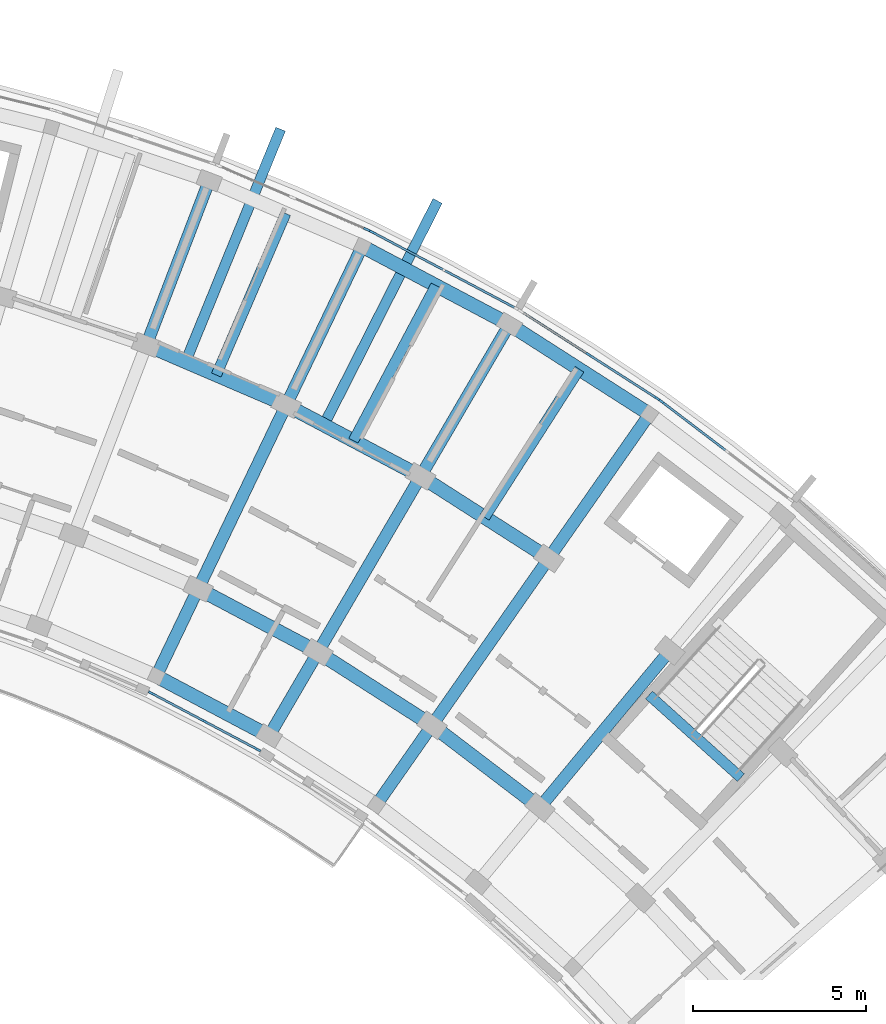
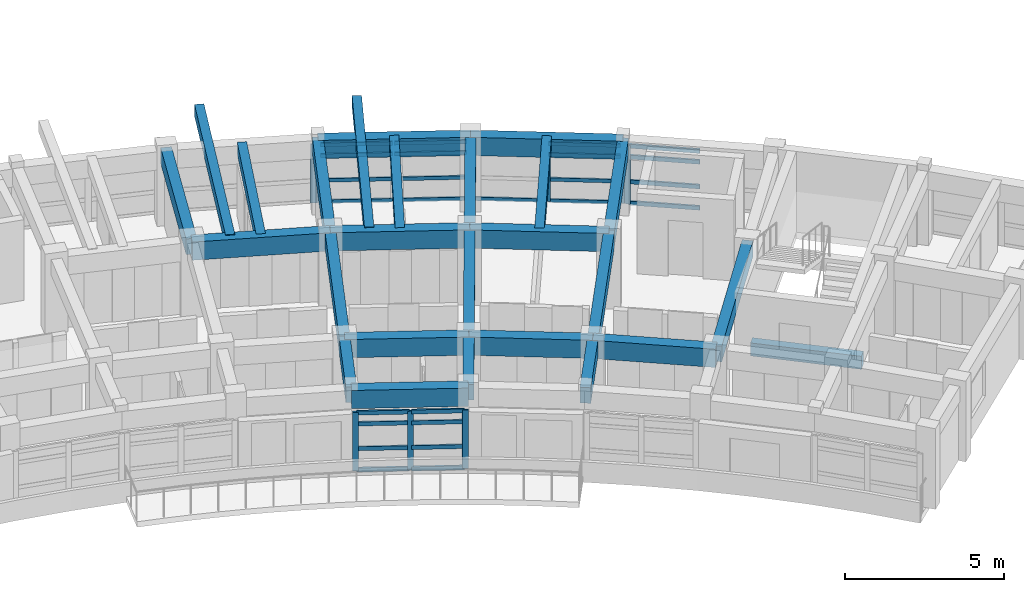
# One storey, part 14 of 54: 33 members, 26 beams, 5 elements without a shape of their own.
"""IFC4 building model written with IfcOpenShell, lengths in metres."""

import ifcopenshell
import ifcopenshell.guid

model = None  # the IFC model being written
_history = None  # IfcOwnerHistory: only IFC2X3 demands one
_inside = {}  # id of a spatial element -> (the spatial element, [elements in it])
_under = {}  # id of a project, library or spatial element -> (it, [spatial elements below it])
_declared = {}  # id of a project -> (the project, [libraries it declares])
_typed = {}  # id of a type object -> (the type object, [elements of that type])
_made_of = {}  # id of a material, layer set ... -> (it, [elements and type objects made of it])


def new_model(schema):
    """Start an empty IFC model of exactly this schema.

    Asked for "IFC4X3", IfcOpenShell would pick the latest addendum, in which some entities
    have other attributes; the version numbers below select the first issue.
    IFC2X3 requires an IfcOwnerHistory on every rooted entity: one is made here for all.
    """
    global model, _history
    if schema == "IFC4X3":
        model = ifcopenshell.file(schema_version=(4, 3, 0, 0))
    else:
        model = ifcopenshell.file(schema=schema)
    _inside.clear()
    _under.clear()
    _declared.clear()
    _typed.clear()
    _made_of.clear()
    _history = None
    if model.schema == "IFC2X3":
        org = make("IfcOrganization", Name="unknown")
        user = make(
            "IfcPersonAndOrganization",
            ThePerson=make("IfcPerson", FamilyName="unknown"),
            TheOrganization=org,
        )
        app = make(
            "IfcApplication",
            ApplicationDeveloper=org,
            Version="unknown",
            ApplicationFullName="unknown",
            ApplicationIdentifier="unknown",
        )
        _history = make(
            "IfcOwnerHistory",
            OwningUser=user,
            OwningApplication=app,
            ChangeAction="ADDED",
            CreationDate=0,
        )
    return model


def make(cls, **values):
    """One entity of the class cls with the attributes given. An attribute that is None is left unset."""
    return model.create_entity(
        cls, **{name: value for name, value in values.items() if value is not None}
    )


def rooted(cls, **values):
    """An entity with a GlobalId (a new one), such as an element, a storey or a relation."""
    return make(cls, GlobalId=ifcopenshell.guid.new(), OwnerHistory=_history, **values)


def si_unit(unit_type, name, prefix=None):
    """IfcSIUnit, for example si_unit("LENGTHUNIT", "METRE", prefix="MILLI")."""
    return make("IfcSIUnit", UnitType=unit_type, Prefix=prefix, Name=name)


def assignment(units):
    """IfcUnitAssignment: the units of a project."""
    return None if units is None else make("IfcUnitAssignment", Units=units)


def point(xyz):
    """IfcCartesianPoint."""
    return None if xyz is None else make("IfcCartesianPoint", Coordinates=xyz)


def direction(xyz):
    """IfcDirection."""
    return None if xyz is None else make("IfcDirection", DirectionRatios=xyz)


def frame(location, z_axis=None, x_axis=None):
    """IfcAxis2Placement3D, a coordinate frame: its origin and axes. An axis left out is left unset."""
    return make(
        "IfcAxis2Placement3D",
        Location=point(location),
        Axis=direction(z_axis),
        RefDirection=direction(x_axis),
    )


def frame_2d(location, x_axis=None):
    """IfcAxis2Placement2D, a coordinate frame in the plane: its origin and x axis."""
    return make(
        "IfcAxis2Placement2D", Location=point(location), RefDirection=direction(x_axis)
    )


def origin():
    """The frame at (0, 0, 0) with its axes left unset."""
    return frame((0.0, 0.0, 0.0))


def origin_2d():
    """The frame at (0, 0) in the plane with its x axis left unset."""
    return frame_2d((0.0, 0.0))


def place(relative_to, where):
    """IfcLocalPlacement: puts the frame where relative to a parent placement (None: the world)."""
    return make(
        "IfcLocalPlacement", PlacementRelTo=relative_to, RelativePlacement=where
    )


def context(
    kind, dimensions, precision=None, world=None, true_north=None, identifier=None
):
    """IfcGeometricRepresentationContext, for example the 3D "Model" context."""
    return make(
        "IfcGeometricRepresentationContext",
        ContextIdentifier=identifier,
        ContextType=kind,
        CoordinateSpaceDimension=dimensions,
        Precision=precision,
        WorldCoordinateSystem=world,
        TrueNorth=true_north,
    )


def subcontext(parent, identifier, kind, view, scale=None):
    """IfcGeometricRepresentationSubContext, for example "Body" below "Model"."""
    return make(
        "IfcGeometricRepresentationSubContext",
        ContextIdentifier=identifier,
        ContextType=kind,
        ParentContext=parent,
        TargetScale=scale,
        TargetView=view,
    )


def project(units=None, contexts=None):
    """IfcProject with its units and contexts."""
    return rooted(
        "IfcProject",
        Name="project",
        RepresentationContexts=contexts,
        UnitsInContext=assignment(units),
    )


def spatial(cls, under=None, at=None, **own):
    """A site, building, storey or space (cls), placed at a placement, below another one or the project."""
    s = rooted(cls, ObjectPlacement=at, **own)
    if under is not None:
        _under.setdefault(under.id(), (under, []))[1].append(s)
    return s


def profile(cls, at=None, kind="AREA", **sizes):
    """A parametric profile (cls). Its sizes go by their IFC names, for example OverallWidth=200.0."""
    return make(cls, ProfileType=kind, Position=at, **sizes)


def rectangle(**sizes):
    """IfcRectangleProfileDef."""
    return profile("IfcRectangleProfileDef", **sizes)


def extrude(swept, where, along, depth):
    """IfcExtrudedAreaSolid: the profile swept, set in the frame where, extruded along a direction by depth."""
    return make(
        "IfcExtrudedAreaSolid",
        SweptArea=swept,
        Position=where,
        ExtrudedDirection=direction(along),
        Depth=depth,
    )


def shape(context_of_items, identifier, shape_type, items):
    """IfcShapeRepresentation: the items that make up one representation, for example the "Body"."""
    return make(
        "IfcShapeRepresentation",
        ContextOfItems=context_of_items,
        RepresentationIdentifier=identifier,
        RepresentationType=shape_type,
        Items=items,
    )


def material(Name=None, Category=None):
    """IfcMaterial."""
    return make("IfcMaterial", Name=Name, Category=Category)


def material_profile(
    of_material, cross_section, Name=None, Category=None, Priority=None
):
    """IfcMaterialProfile: a cross section and its material."""
    return make(
        "IfcMaterialProfile",
        Name=Name,
        Material=of_material,
        Profile=cross_section,
        Priority=Priority,
        Category=Category,
    )


def profile_set(profiles, Name=None, composite=None):
    """IfcMaterialProfileSet."""
    return make(
        "IfcMaterialProfileSet",
        Name=Name,
        MaterialProfiles=profiles,
        CompositeProfile=composite,
    )


def made_of(thing, what):
    """Note that an element or type object is made of a material, layer set ...; save() writes the relation."""
    if what is not None:
        _made_of.setdefault(what.id(), (what, []))[1].append(thing)
    return thing


def type_object(cls, material=None, **own):
    """A type object (cls), such as IfcWallType, which elements share."""
    return made_of(rooted(cls, **own), material)


def element(
    cls,
    number,
    at=None,
    inside=None,
    cuts=None,
    type_object=None,
    material=None,
    context=None,
    identifier="Body",
    shape_type=None,
    held_by="IfcProductDefinitionShape",
    body=None,
    shapes=None,
    **own,
):
    """One element of the class cls, such as IfcWall. Its Tag is "e" and its number.

    at: its placement. inside: the storey or other place that contains it. cuts: it is an
    opening in that element (IfcRelVoidsElement). A single representation is given by context,
    identifier, shape_type and body (its items); several are given by shapes. held_by: the class
    of the entity that holds the representations. save() writes the other relations.
    """
    e = rooted(cls, Tag="e%d" % number, ObjectPlacement=at, **own)
    if body is not None:
        shapes = [shape(context, identifier, shape_type, body)]
    if shapes is not None:
        e.Representation = make(held_by, Representations=shapes)
    if inside is not None:
        _inside.setdefault(inside.id(), (inside, []))[1].append(e)
    if cuts is not None:
        rooted(
            "IfcRelVoidsElement", RelatingBuildingElement=cuts, RelatedOpeningElement=e
        )
    if type_object is not None:
        _typed.setdefault(type_object.id(), (type_object, []))[1].append(e)
    return made_of(e, material)


def aggregate(whole, parts):
    """IfcRelAggregates: a whole, such as a stair, and the parts it consists of."""
    return rooted("IfcRelAggregates", RelatingObject=whole, RelatedObjects=parts)


def save(model, path):
    """Write the relations noted so far, then the file.

    IfcRelAggregates (storeys below a building ...), IfcRelContainedInSpatialStructure (elements
    in a storey), IfcRelDefinesByType, IfcRelAssociatesMaterial and IfcRelDeclares: one each for
    every whole, place, type object, material and project.
    """
    for whole, parts in _under.values():
        aggregate(whole, parts)
    for where, things in _inside.values():
        rooted(
            "IfcRelContainedInSpatialStructure",
            RelatedElements=things,
            RelatingStructure=where,
        )
    for kind, things in _typed.values():
        rooted("IfcRelDefinesByType", RelatedObjects=things, RelatingType=kind)
    for what, things in _made_of.values():
        rooted("IfcRelAssociatesMaterial", RelatedObjects=things, RelatingMaterial=what)
    for by, libraries in _declared.values():
        rooted("IfcRelDeclares", RelatingContext=by, RelatedDefinitions=libraries)
    model.write(path)


model = new_model("IFC4")

# Units and contexts
model_context = context("Model", 3, precision=1e-05, world=origin(), true_north=direction((0.0, 1.0)))
body_context = subcontext(model_context, "Body", "Model", "MODEL_VIEW")
ifc_project = project(units=[si_unit("LENGTHUNIT", "METRE"), si_unit("AREAUNIT", "SQUARE_METRE"), si_unit("VOLUMEUNIT", "CUBIC_METRE"), si_unit("PLANEANGLEUNIT", "RADIAN"), si_unit("MASSUNIT", "GRAM", prefix="KILO")], contexts=[model_context])

# Site, building, storey
site_placement = place(None, origin())
site = spatial("IfcSite", under=ifc_project, at=site_placement, CompositionType="ELEMENT")
building_placement = place(site_placement, origin())
building = spatial("IfcBuilding", under=site, at=building_placement, Name="Zimvara Arc Housing Community", CompositionType="ELEMENT")
storey_placement = place(building_placement, frame((0.0, 0.0, 23.60009765625)))
storey = spatial("IfcBuildingStorey", under=building, at=storey_placement, Name="L07", CompositionType="ELEMENT", Elevation=23.60009765625)

# Beams
ifc_material_1 = material(Name="Concrete C40/50", Category="concrete")
ifc_material_profile_1 = material_profile(ifc_material_1, rectangle(XDim=0.300048828125, YDim=0.449951171875, at=origin_2d()), Name="RC 300x450")
ifc_profile_set_1 = profile_set([ifc_material_profile_1], Name="Concrete C40/50")
beam_type_1 = type_object("IfcBeamType", Name="BM-RC-300x450", PredefinedType="JOIST", material=ifc_profile_set_1)
beam_1_placement = place(storey_placement, frame((66.22802734375, 93.885986328125, 2.635009765625), z_axis=(0.394929109608, 0.918711596958, 0.0), x_axis=(-0.918711596958, 0.394929109608, 0.0)))
element("IfcBeam", 1, at=beam_1_placement, inside=storey, type_object=beam_type_1, Name="bm:blkB:L07:joist:b4", PredefinedType="JOIST", context=body_context, shape_type="SweptSolid", body=[
    extrude(rectangle(XDim=0.300048828125, YDim=0.449951171875, at=origin_2d()), origin(), (0.0, 0.0, 1.0), 5.075927734375),
])
for number, where, z_axis, x_axis, name in (
    (2, (70.186767578125, 91.9892578125, 2.635009765625), (0.46853732736, 0.883443701019, 0.0), (-0.883443701019, 0.46853732736, 0.0), "bm:blkB:L07:joist:b5"),
    (3, (73.9775390625, 89.776123046875, 2.635009765625), (0.539052331508, 0.842272274206, 0.0), (-0.842272274206, 0.539052331508, 0.0), "bm:blkB:L07:joist:b6"),
):
    element("IfcBeam", number, at=place(storey_placement, frame(where, z_axis=z_axis, x_axis=x_axis)), inside=storey, type_object=beam_type_1, Name=name, PredefinedType="JOIST", context=body_context, shape_type="SweptSolid", body=[
        extrude(rectangle(XDim=0.300048828125, YDim=0.449951171875, at=origin_2d()), origin(), (0.0, 0.0, 1.0), 5.07568359375),
    ])
for number, where, z_axis, x_axis, name in (
    (4, (65.354248046875, 94.301025390625, 2.664794921875), (0.37834711263, 0.925663795535, 0.0), (-0.925663795535, 0.37834711263, 0.0), "bm:blkB:L07:cant_out:b4"),
    (5, (69.349609375, 92.474365234375, 2.664794921875), (0.45261583812, 0.891705614585, 0.0), (-0.891705614585, 0.45261583812, 0.0), "bm:blkB:L07:cant_out:b5"),
):
    element("IfcBeam", number, at=place(storey_placement, frame(where, z_axis=z_axis, x_axis=x_axis)), inside=storey, type_object=beam_type_1, Name=name, PredefinedType="JOIST", context=body_context, shape_type="SweptSolid", body=[
        extrude(rectangle(XDim=0.300048828125, YDim=0.449951171875, at=origin_2d()), origin(), (0.0, 0.0, 1.0), 7.219970703125),
    ])
ifc_material_2 = material(Name="Concrete C40/50", Category="concrete")
ifc_material_profile_2 = material_profile(ifc_material_2, rectangle(XDim=0.300048828125, YDim=0.5, at=origin_2d()), Name="RC 300x500")
ifc_profile_set_2 = profile_set([ifc_material_profile_2], Name="Concrete C40/50")
beam_type_2 = type_object("IfcBeamType", Name="BM-RC-300x500", PredefinedType="BEAM", material=ifc_profile_set_2)
beam_2_placement = place(storey_placement, frame((81.375732421875, 82.259033203125, -0.25), z_axis=(-0.743362151162, 0.668889162881, 0.0), x_axis=(-0.668889162881, -0.743362151162, 0.0)))
element("IfcBeam", 6, at=beam_2_placement, inside=storey, type_object=beam_type_2, Name="bm:stair_trim:ST-B2:L07:near", PredefinedType="BEAM", context=body_context, shape_type="SweptSolid", body=[
    extrude(rectangle(XDim=0.300048828125, YDim=0.5, at=origin_2d()), origin(), (0.0, 0.0, 1.0), 3.570068359375),
])
ifc_material_3 = material(Name="Concrete C40/50", Category="concrete")
ifc_material_profile_3 = material_profile(ifc_material_3, rectangle(XDim=0.35009765625, YDim=0.60009765625, at=origin_2d()), Name="RC 350x600")
ifc_profile_set_3 = profile_set([ifc_material_profile_3], Name="Concrete C40/50")
beam_type_3 = type_object("IfcBeamType", Name="BM-RC-350x600", PredefinedType="BEAM", material=ifc_profile_set_3)
beam_3_placement = place(storey_placement, frame((64.2099609375, 94.75341796875, 2.559814453125), z_axis=(0.357078271386, 0.934074466038, 0.0), x_axis=(-0.934074466038, 0.357078271386, 0.0)))
element("IfcBeam", 7, at=beam_3_placement, inside=storey, type_object=beam_type_3, Name="bm:blkB:L07:rad:b4:r23", PredefinedType="BEAM", context=body_context, shape_type="SweptSolid", body=[
    extrude(rectangle(XDim=0.35009765625, YDim=0.60009765625, at=origin_2d()), origin(), (0.0, 0.0, 1.0), 5.080078125),
])
beam_4_placement = place(storey_placement, frame((64.49560546875, 85.190673828125, 2.559814453125), z_axis=(0.432118703138, 0.901816736593, 0.0), x_axis=(-0.901816736593, 0.432118703138, 0.0)))
element("IfcBeam", 8, at=beam_4_placement, inside=storey, type_object=beam_type_3, Name="bm:blkB:L07:rad:b5:r01", PredefinedType="BEAM", context=body_context, shape_type="SweptSolid", body=[
    extrude(rectangle(XDim=0.35009765625, YDim=0.60009765625, at=origin_2d()), origin(), (0.0, 0.0, 1.0), 2.800048828125),
])
beam_5_placement = place(storey_placement, frame((65.70556640625, 87.7158203125, 2.559814453125), z_axis=(0.432069527705, 0.901840298073, 0.0), x_axis=(-0.901840298073, 0.432069527705, 0.0)))
element("IfcBeam", 9, at=beam_5_placement, inside=storey, type_object=beam_type_3, Name="bm:blkB:L07:rad:b5:r12", PredefinedType="BEAM", context=body_context, shape_type="SweptSolid", body=[
    extrude(rectangle(XDim=0.35009765625, YDim=0.60009765625, at=origin_2d()), origin(), (0.0, 0.0, 1.0), 5.8798828125),
])
beam_6_placement = place(storey_placement, frame((68.24609375, 93.0185546875, 2.559814453125), z_axis=(0.432098194978, 0.901826563091, 0.0), x_axis=(-0.901826563091, 0.432098194978, 0.0)))
element("IfcBeam", 10, at=beam_6_placement, inside=storey, type_object=beam_type_3, Name="bm:blkB:L07:rad:b5:r23", PredefinedType="BEAM", context=body_context, shape_type="SweptSolid", body=[
    extrude(rectangle(XDim=0.35009765625, YDim=0.60009765625, at=origin_2d()), origin(), (0.0, 0.0, 1.0), 5.080078125),
])
beam_7_placement = place(storey_placement, frame((67.750732421875, 83.46435546875, 2.559814453125), z_axis=(0.504239631668, 0.86356377521, 0.0), x_axis=(-0.86356377521, 0.504239631668, 0.0)))
element("IfcBeam", 11, at=beam_7_placement, inside=storey, type_object=beam_type_3, Name="bm:blkB:L07:rad:b6:r01", PredefinedType="BEAM", context=body_context, shape_type="SweptSolid", body=[
    extrude(rectangle(XDim=0.35009765625, YDim=0.60009765625, at=origin_2d()), origin(), (0.0, 0.0, 1.0), 2.800048828125),
])
beam_8_placement = place(storey_placement, frame((69.16259765625, 85.88232421875, 2.559814453125), z_axis=(0.504219494781, 0.863575532934, 0.0), x_axis=(-0.863575532934, 0.504219494781, 0.0)))
element("IfcBeam", 12, at=beam_8_placement, inside=storey, type_object=beam_type_3, Name="bm:blkB:L07:rad:b6:r12", PredefinedType="BEAM", context=body_context, shape_type="SweptSolid", body=[
    extrude(rectangle(XDim=0.35009765625, YDim=0.60009765625, at=origin_2d()), origin(), (0.0, 0.0, 1.0), 5.880126953125),
])
beam_9_placement = place(storey_placement, frame((72.12744140625, 90.960205078125, 2.559814453125), z_axis=(0.504196701544, 0.863588840915, 0.0), x_axis=(-0.863588840915, 0.504196701544, 0.0)))
element("IfcBeam", 13, at=beam_9_placement, inside=storey, type_object=beam_type_3, Name="bm:blkB:L07:rad:b6:r23", PredefinedType="BEAM", context=body_context, shape_type="SweptSolid", body=[
    extrude(rectangle(XDim=0.35009765625, YDim=0.60009765625, at=origin_2d()), origin(), (0.0, 0.0, 1.0), 5.079833984375),
])
beam_10_placement = place(storey_placement, frame((70.85400390625, 81.478271484375, 2.559814453125), z_axis=(0.57297651105, 0.819571789281, 0.0), x_axis=(-0.819571789281, 0.57297651105, 0.0)))
element("IfcBeam", 14, at=beam_10_placement, inside=storey, type_object=beam_type_3, Name="bm:blkB:L07:rad:b7:r01", PredefinedType="BEAM", context=body_context, shape_type="SweptSolid", body=[
    extrude(rectangle(XDim=0.35009765625, YDim=0.60009765625, at=origin_2d()), origin(), (0.0, 0.0, 1.0), 2.7998046875),
])
beam_11_placement = place(storey_placement, frame((72.458251953125, 83.77294921875, 2.559814453125), z_axis=(0.573027549978, 0.819536104736, 0.0), x_axis=(-0.819536104736, 0.573027549978, 0.0)))
element("IfcBeam", 15, at=beam_11_placement, inside=storey, type_object=beam_type_3, Name="bm:blkB:L07:rad:b7:r12", PredefinedType="BEAM", context=body_context, shape_type="SweptSolid", body=[
    extrude(rectangle(XDim=0.35009765625, YDim=0.60009765625, at=origin_2d()), origin(), (0.0, 0.0, 1.0), 5.8798828125),
])
beam_12_placement = place(storey_placement, frame((75.82763671875, 88.591796875, 2.559814453125), z_axis=(0.573007469479, 0.819550144848, 0.0), x_axis=(-0.819550144848, 0.573007469479, 0.0)))
element("IfcBeam", 16, at=beam_12_placement, inside=storey, type_object=beam_type_3, Name="bm:blkB:L07:rad:b7:r23", PredefinedType="BEAM", context=body_context, shape_type="SweptSolid", body=[
    extrude(rectangle(XDim=0.35009765625, YDim=0.60009765625, at=origin_2d()), origin(), (0.0, 0.0, 1.0), 5.080078125),
])
beam_13_placement = place(storey_placement, frame((75.571044921875, 81.401611328125, 2.559814453125), z_axis=(0.637955964415, 0.770072845559, 0.0), x_axis=(-0.770072845559, 0.637955964415, 0.0)))
element("IfcBeam", 17, at=beam_13_placement, inside=storey, type_object=beam_type_3, Name="bm:blkB:L07:rad:b8:r12", PredefinedType="BEAM", context=body_context, shape_type="SweptSolid", body=[
    extrude(rectangle(XDim=0.35009765625, YDim=0.60009765625, at=origin_2d()), origin(), (0.0, 0.0, 1.0), 5.880126953125),
])
ifc_material_4 = material(Name="Concrete C40/50", Category="concrete")
ifc_material_profile_4 = material_profile(ifc_material_4, rectangle(XDim=0.39990234375, YDim=0.699951171875, at=origin_2d()), Name="RC 400x700")
ifc_profile_set_4 = profile_set([ifc_material_profile_4], Name="Concrete C40/50")
beam_type_4 = type_object("IfcBeamType", Name="BM-RC-400x700", PredefinedType="BEAM", material=ifc_profile_set_4)
beam_14_placement = place(storey_placement, frame((64.49560546875, 85.190673828125, 2.510009765625), z_axis=(0.883449220086, -0.468526920815, 0.0), x_axis=(0.468526920815, 0.883449220086, 0.0)))
element("IfcBeam", 18, at=beam_14_placement, inside=storey, type_object=beam_type_4, Name="bm:blkB:L07:chord:r0:b5", PredefinedType="BEAM", context=body_context, shape_type="SweptSolid", body=[
    extrude(rectangle(XDim=0.39990234375, YDim=0.699951171875, at=origin_2d()), origin(), (0.0, 0.0, 1.0), 3.6845703125),
])
beam_15_placement = place(storey_placement, frame((65.70556640625, 87.7158203125, 2.510009765625), z_axis=(0.883438625159, -0.468546897948, 0.0), x_axis=(0.468546897948, 0.883438625159, 0.0)))
element("IfcBeam", 19, at=beam_15_placement, inside=storey, type_object=beam_type_4, Name="bm:blkB:L07:chord:r1:b5", PredefinedType="BEAM", context=body_context, shape_type="SweptSolid", body=[
    extrude(rectangle(XDim=0.39990234375, YDim=0.699951171875, at=origin_2d()), origin(), (0.0, 0.0, 1.0), 3.9130859375),
])
beam_16_placement = place(storey_placement, frame((69.16259765625, 85.88232421875, 2.510009765625), z_axis=(0.842253269878, -0.539082024724, 0.0), x_axis=(0.539082024724, 0.842253269878, 0.0)))
element("IfcBeam", 20, at=beam_16_placement, inside=storey, type_object=beam_type_4, Name="bm:blkB:L07:chord:r1:b6", PredefinedType="BEAM", context=body_context, shape_type="SweptSolid", body=[
    extrude(rectangle(XDim=0.39990234375, YDim=0.699951171875, at=origin_2d()), origin(), (0.0, 0.0, 1.0), 3.912841796875),
])
beam_17_placement = place(storey_placement, frame((72.458251953125, 83.77294921875, 2.510009765625), z_axis=(0.795470387579, -0.605992460749, 0.0), x_axis=(0.605992460749, 0.795470387579, 0.0)))
element("IfcBeam", 21, at=beam_17_placement, inside=storey, type_object=beam_type_4, Name="bm:blkB:L07:chord:r1:b7", PredefinedType="BEAM", context=body_context, shape_type="SweptSolid", body=[
    extrude(rectangle(XDim=0.39990234375, YDim=0.699951171875, at=origin_2d()), origin(), (0.0, 0.0, 1.0), 3.9130859375),
])
for number, where, z_axis, x_axis, name in (
    (22, (64.2099609375, 94.75341796875, 2.510009765625), (0.918724840088, -0.394898301093, 0.0), (0.394898301093, 0.918724840088, 0.0), "bm:blkB:L07:chord:r2:b4"),
    (23, (68.24609375, 93.0185546875, 2.510009765625), (0.883456526058, -0.468513144496, 0.0), (0.468513144496, 0.883456526058, 0.0), "bm:blkB:L07:chord:r2:b5"),
    (24, (72.12744140625, 90.960205078125, 2.510009765625), (0.842242131326, -0.539099427025, 0.0), (0.539099427025, 0.842242131326, 0.0), "bm:blkB:L07:chord:r2:b6"),
):
    element("IfcBeam", number, at=place(storey_placement, frame(where, z_axis=z_axis, x_axis=x_axis)), inside=storey, type_object=beam_type_4, Name=name, PredefinedType="BEAM", context=body_context, shape_type="SweptSolid", body=[
        extrude(rectangle(XDim=0.39990234375, YDim=0.699951171875, at=origin_2d()), origin(), (0.0, 0.0, 1.0), 4.393310546875),
    ])
beam_18_placement = place(storey_placement, frame((70.441162109375, 97.599853515625, 2.510009765625), z_axis=(0.883445542299, -0.468533855546, 0.0), x_axis=(0.468533855546, 0.883445542299, 0.0)))
element("IfcBeam", 25, at=beam_18_placement, inside=storey, type_object=beam_type_4, Name="bm:blkB:L07:chord:r3:b5", PredefinedType="BEAM", context=body_context, shape_type="SweptSolid", body=[
    extrude(rectangle(XDim=0.39990234375, YDim=0.699951171875, at=origin_2d()), origin(), (0.0, 0.0, 1.0), 4.807861328125),
])
beam_19_placement = place(storey_placement, frame((74.688720703125, 95.34716796875, 2.510009765625), z_axis=(0.842255724028, -0.539078190379, 0.0), x_axis=(0.539078190379, 0.842255724028, 0.0)))
element("IfcBeam", 26, at=beam_19_placement, inside=storey, type_object=beam_type_4, Name="bm:blkB:L07:chord:r3:b6", PredefinedType="BEAM", context=body_context, shape_type="SweptSolid", body=[
    extrude(rectangle(XDim=0.39990234375, YDim=0.699951171875, at=origin_2d()), origin(), (0.0, 0.0, 1.0), 4.808349609375),
])

# Curtain wall, member
ifc_material_5 = material(Name="Anodised Aluminium AW-6063", Category="aluminium")
curtain_wall_type_1 = type_object("IfcCurtainWallType", Name="CW-SYS-06", PredefinedType="USERDEFINED", material=ifc_material_5)
curtain_wall_1_placement = place(storey_placement, origin())
curtain_wall_1 = element("IfcCurtainWall", 27, at=curtain_wall_1_placement, inside=storey, type_object=curtain_wall_type_1, Name="cw:blkB:L07:out:b5", ObjectType="CURTAIN WALL", PredefinedType="USERDEFINED")
ifc_material_6 = material(Name="Anodised Aluminium AW-6063", Category="aluminium")
ifc_material_profile_5 = material_profile(ifc_material_6, rectangle(XDim=0.06494140625, YDim=0.179931640625, at=origin_2d()), Name="ALU 65x180")
ifc_profile_set_5 = profile_set([ifc_material_profile_5], Name="Anodised Aluminium AW-6063")
member_type_1 = type_object("IfcMemberType", Name="CWM-65x150", PredefinedType="MULLION", material=ifc_profile_set_5)
member_1_placement = place(storey_placement, frame((70.739013671875, 98.007568359375, 0.0), z_axis=(0.0, 0.0, 1.0), x_axis=(0.468546917761, 0.883438614651, 0.0)))
member_1 = element("IfcMember", 28, at=member_1_placement, type_object=member_type_1, Name="CW06 mullion 1", PredefinedType="MULLION", context=body_context, shape_type="SweptSolid", body=[
    extrude(rectangle(XDim=0.06494140625, YDim=0.179931640625, at=origin_2d()), origin(), (0.0, 0.0, 1.0), 2.25),
])

# Curtain wall, members
ifc_material_7 = material(Name="Anodised Aluminium AW-6063", Category="aluminium")
curtain_wall_type_2 = type_object("IfcCurtainWallType", Name="CW-SYS-08", PredefinedType="USERDEFINED", material=ifc_material_7)
curtain_wall_2_placement = place(storey_placement, origin())
curtain_wall_2 = element("IfcCurtainWall", 29, at=curtain_wall_2_placement, inside=storey, type_object=curtain_wall_type_2, Name="cw:blkB:L07:out:b6", ObjectType="CURTAIN WALL", PredefinedType="USERDEFINED")
member_2_placement = place(storey_placement, frame((76.98291015625, 94.471923828125, 0.0), z_axis=(0.0, 0.0, 1.0), x_axis=(0.539064617721, 0.842264410931, 0.0)))
member_2 = element("IfcMember", 30, at=member_2_placement, type_object=member_type_1, Name="CW08 mullion 2", PredefinedType="MULLION", context=body_context, shape_type="SweptSolid", body=[
    extrude(rectangle(XDim=0.06494140625, YDim=0.179931640625, at=origin_2d()), origin(), (0.0, 0.0, 1.0), 2.25),
])
member_3_placement = place(storey_placement, frame((78.947021484375, 93.21484375, 0.0), z_axis=(0.0, 0.0, 1.0), x_axis=(0.539064617721, 0.842264410931, 0.0)))
member_3 = element("IfcMember", 31, at=member_3_placement, type_object=member_type_1, Name="CW08 mullion 3", PredefinedType="MULLION", context=body_context, shape_type="SweptSolid", body=[
    extrude(rectangle(XDim=0.06494140625, YDim=0.179931640625, at=origin_2d()), origin(), (0.0, 0.0, 1.0), 2.25),
])

# Curtain wall, member
ifc_material_8 = material(Name="Anodised Aluminium AW-6063", Category="aluminium")
curtain_wall_type_3 = type_object("IfcCurtainWallType", Name="CW-SYS-05", PredefinedType="USERDEFINED", material=ifc_material_8)
curtain_wall_3_placement = place(storey_placement, origin())
curtain_wall_3 = element("IfcCurtainWall", 32, at=curtain_wall_3_placement, inside=storey, type_object=curtain_wall_type_3, Name="cw:blkB:L07:out:b4", ObjectType="CURTAIN WALL", PredefinedType="USERDEFINED")
ifc_material_9 = material(Name="Anodised Aluminium AW-6063", Category="aluminium")
ifc_material_profile_6 = material_profile(ifc_material_9, rectangle(XDim=0.06494140625, YDim=0.195068359375, at=origin_2d()), Name="ALU 65x195")
ifc_profile_set_6 = profile_set([ifc_material_profile_6], Name="Anodised Aluminium AW-6063")
member_type_2 = type_object("IfcMemberType", Name="CWM-65x180", PredefinedType="MULLION", material=ifc_profile_set_6)
member_4_placement = place(storey_placement, frame((70.572265625, 98.08740234375, 0.0), z_axis=(0.0, 0.0, 1.0), x_axis=(0.394904211998, 0.918722299363, 0.0)))
member_4 = element("IfcMember", 33, at=member_4_placement, type_object=member_type_2, Name="CW05 mullion 3", PredefinedType="MULLION", context=body_context, shape_type="SweptSolid", body=[
    extrude(rectangle(XDim=0.06494140625, YDim=0.195068359375, at=origin_2d()), origin(), (0.0, 0.0, 1.0), 2.25),
])
aggregate(curtain_wall_3, [member_4])

# Curtain wall, members
ifc_material_10 = material(Name="Anodised Aluminium AW-6063", Category="aluminium")
curtain_wall_type_4 = type_object("IfcCurtainWallType", Name="CW-SYS-07", PredefinedType="USERDEFINED", material=ifc_material_10)
curtain_wall_4_placement = place(storey_placement, origin())
curtain_wall_4 = element("IfcCurtainWall", 34, at=curtain_wall_4_placement, inside=storey, type_object=curtain_wall_type_4, Name="cw:blkB:L07:in:b5", ObjectType="CURTAIN WALL", PredefinedType="USERDEFINED")
member_5_placement = place(storey_placement, frame((64.361328125, 84.696533203125, 0.0), z_axis=(0.0, 0.0, 1.0), x_axis=(0.468544648573, 0.88343981815, 0.0)))
member_5 = element("IfcMember", 35, at=member_5_placement, type_object=member_type_2, Name="CW07 mullion 1", PredefinedType="MULLION", context=body_context, shape_type="SweptSolid", body=[
    extrude(rectangle(XDim=0.06494140625, YDim=0.195068359375, at=origin_2d()), origin(), (0.0, 0.0, 1.0), 2.25),
])
member_6_placement = place(storey_placement, frame((65.88916015625, 83.88623046875, 0.0), z_axis=(0.0, 0.0, 1.0), x_axis=(0.468544648573, 0.88343981815, 0.0)))
member_6 = element("IfcMember", 36, at=member_6_placement, type_object=member_type_2, Name="CW07 mullion 2", PredefinedType="MULLION", context=body_context, shape_type="SweptSolid", body=[
    extrude(rectangle(XDim=0.06494140625, YDim=0.195068359375, at=origin_2d()), origin(), (0.0, 0.0, 1.0), 2.25),
])
member_7_placement = place(storey_placement, frame((67.416748046875, 83.075927734375, 0.0), z_axis=(0.0, 0.0, 1.0), x_axis=(0.468544648573, 0.88343981815, 0.0)))
member_7 = element("IfcMember", 37, at=member_7_placement, type_object=member_type_2, Name="CW07 mullion 3", PredefinedType="MULLION", context=body_context, shape_type="SweptSolid", body=[
    extrude(rectangle(XDim=0.06494140625, YDim=0.195068359375, at=origin_2d()), origin(), (0.0, 0.0, 1.0), 2.25),
])

# Curtain wall, member
ifc_material_11 = material(Name="Anodised Aluminium AW-6063", Category="aluminium")
curtain_wall_type_5 = type_object("IfcCurtainWallType", Name="CW-SYS-01", PredefinedType="USERDEFINED", material=ifc_material_11)
curtain_wall_5_placement = place(storey_placement, origin())
curtain_wall_5 = element("IfcCurtainWall", 38, at=curtain_wall_5_placement, inside=storey, type_object=curtain_wall_type_5, Name="cw:blkB:L07:out:b7", ObjectType="CURTAIN WALL", PredefinedType="USERDEFINED")
member_8_placement = place(storey_placement, frame((79.0986328125, 93.10888671875, 0.0), z_axis=(0.0, 0.0, 1.0), x_axis=(0.60598771987, 0.795473999177, 0.0)))
member_8 = element("IfcMember", 39, at=member_8_placement, type_object=member_type_2, Name="CW01 mullion 1", PredefinedType="MULLION", context=body_context, shape_type="SweptSolid", body=[
    extrude(rectangle(XDim=0.06494140625, YDim=0.195068359375, at=origin_2d()), origin(), (0.0, 0.0, 1.0), 2.25),
])

# Member
ifc_material_12 = material(Name="Anodised Aluminium AW-6063", Category="aluminium")
ifc_material_profile_7 = material_profile(ifc_material_12, rectangle(XDim=0.06494140625, YDim=0.139892578125, at=origin_2d()), Name="ALU 65x140")
ifc_profile_set_7 = profile_set([ifc_material_profile_7], Name="Anodised Aluminium AW-6063")
member_type_3 = type_object("IfcMemberType", Name="CWT-65x120", PredefinedType="USERDEFINED", material=ifc_profile_set_7)
member_9_placement = place(storey_placement, frame((70.767578125, 97.9921875, 0.032470703125), z_axis=(0.883489114766, -0.468451688107, 0.0), x_axis=(0.468451688107, 0.883489114766, 0.0)))
member_9 = element("IfcMember", 40, at=member_9_placement, type_object=member_type_3, Name="CW06 transom 1.1", ObjectType="TRANSOM", PredefinedType="USERDEFINED", context=body_context, shape_type="SweptSolid", body=[
    extrude(rectangle(XDim=0.06494140625, YDim=0.139892578125, at=origin_2d()), origin(), (0.0, 0.0, 1.0), 2.26708984375),
])

member_10_placement = place(storey_placement, frame((70.767578125, 97.9921875, 0.849853515625), z_axis=(0.883489114766, -0.468451688107, 0.0), x_axis=(0.468451688107, 0.883489114766, 0.0)))
member_10 = element("IfcMember", 41, at=member_10_placement, type_object=member_type_3, Name="CW06 transom 1.2", ObjectType="TRANSOM", PredefinedType="USERDEFINED", context=body_context, shape_type="SweptSolid", body=[
    extrude(rectangle(XDim=0.06494140625, YDim=0.139892578125, at=origin_2d()), origin(), (0.0, 0.0, 1.0), 2.26708984375),
])

member_11_placement = place(storey_placement, frame((70.767578125, 97.9921875, 1.7998046875), z_axis=(0.883489114766, -0.468451688107, 0.0), x_axis=(0.468451688107, 0.883489114766, 0.0)))
member_11 = element("IfcMember", 42, at=member_11_placement, type_object=member_type_3, Name="CW06 transom 1.3", ObjectType="TRANSOM", PredefinedType="USERDEFINED", context=body_context, shape_type="SweptSolid", body=[
    extrude(rectangle(XDim=0.06494140625, YDim=0.139892578125, at=origin_2d()), origin(), (0.0, 0.0, 1.0), 2.26708984375),
])

member_12_placement = place(storey_placement, frame((70.767578125, 97.9921875, 2.21728515625), z_axis=(0.883489114766, -0.468451688107, 0.0), x_axis=(0.468451688107, 0.883489114766, 0.0)))
member_12 = element("IfcMember", 43, at=member_12_placement, type_object=member_type_3, Name="CW06 transom 1.4", ObjectType="TRANSOM", PredefinedType="USERDEFINED", context=body_context, shape_type="SweptSolid", body=[
    extrude(rectangle(XDim=0.06494140625, YDim=0.139892578125, at=origin_2d()), origin(), (0.0, 0.0, 1.0), 2.26708984375),
])

member_13_placement = place(storey_placement, frame((72.827880859375, 96.899658203125, 0.032470703125), z_axis=(0.883420900208, -0.468580316568, 0.0), x_axis=(0.468580316568, 0.883420900208, 0.0)))
member_13 = element("IfcMember", 44, at=member_13_placement, type_object=member_type_3, Name="CW06 transom 2.1", ObjectType="TRANSOM", PredefinedType="USERDEFINED", context=body_context, shape_type="SweptSolid", body=[
    extrude(rectangle(XDim=0.06494140625, YDim=0.139892578125, at=origin_2d()), origin(), (0.0, 0.0, 1.0), 2.266845703125),
])

member_14_placement = place(storey_placement, frame((72.827880859375, 96.899658203125, 0.849853515625), z_axis=(0.883420900208, -0.468580316568, 0.0), x_axis=(0.468580316568, 0.883420900208, 0.0)))
member_14 = element("IfcMember", 45, at=member_14_placement, type_object=member_type_3, Name="CW06 transom 2.2", ObjectType="TRANSOM", PredefinedType="USERDEFINED", context=body_context, shape_type="SweptSolid", body=[
    extrude(rectangle(XDim=0.06494140625, YDim=0.139892578125, at=origin_2d()), origin(), (0.0, 0.0, 1.0), 2.266845703125),
])

member_15_placement = place(storey_placement, frame((72.827880859375, 96.899658203125, 1.7998046875), z_axis=(0.883420900208, -0.468580316568, 0.0), x_axis=(0.468580316568, 0.883420900208, 0.0)))
member_15 = element("IfcMember", 46, at=member_15_placement, type_object=member_type_3, Name="CW06 transom 2.3", ObjectType="TRANSOM", PredefinedType="USERDEFINED", context=body_context, shape_type="SweptSolid", body=[
    extrude(rectangle(XDim=0.06494140625, YDim=0.139892578125, at=origin_2d()), origin(), (0.0, 0.0, 1.0), 2.266845703125),
])

member_16_placement = place(storey_placement, frame((72.827880859375, 96.899658203125, 2.21728515625), z_axis=(0.883420900208, -0.468580316568, 0.0), x_axis=(0.468580316568, 0.883420900208, 0.0)))
member_16 = element("IfcMember", 47, at=member_16_placement, type_object=member_type_3, Name="CW06 transom 2.4", ObjectType="TRANSOM", PredefinedType="USERDEFINED", context=body_context, shape_type="SweptSolid", body=[
    extrude(rectangle(XDim=0.06494140625, YDim=0.139892578125, at=origin_2d()), origin(), (0.0, 0.0, 1.0), 2.266845703125),
])

aggregate(curtain_wall_1, [member_1, member_9, member_10, member_11, member_12, member_13, member_14, member_15, member_16])

member_17_placement = place(storey_placement, frame((75.046142578125, 95.71142578125, 0.032470703125), z_axis=(0.842292914806, -0.539020079095, 0.0), x_axis=(0.539020079095, 0.842292914806, 0.0)))
member_17 = element("IfcMember", 48, at=member_17_placement, type_object=member_type_3, Name="CW08 transom 1.1", ObjectType="TRANSOM", PredefinedType="USERDEFINED", context=body_context, shape_type="SweptSolid", body=[
    extrude(rectangle(XDim=0.06494140625, YDim=0.139892578125, at=origin_2d()), origin(), (0.0, 0.0, 1.0), 2.266845703125),
])

member_18_placement = place(storey_placement, frame((77.01025390625, 94.454345703125, 0.032470703125), z_axis=(0.842292914806, -0.539020079095, 0.0), x_axis=(0.539020079095, 0.842292914806, 0.0)))
member_18 = element("IfcMember", 49, at=member_18_placement, type_object=member_type_3, Name="CW08 transom 2.1", ObjectType="TRANSOM", PredefinedType="USERDEFINED", context=body_context, shape_type="SweptSolid", body=[
    extrude(rectangle(XDim=0.06494140625, YDim=0.139892578125, at=origin_2d()), origin(), (0.0, 0.0, 1.0), 2.266845703125),
])

member_19_placement = place(storey_placement, frame((77.01025390625, 94.454345703125, 0.849853515625), z_axis=(0.842292914806, -0.539020079095, 0.0), x_axis=(0.539020079095, 0.842292914806, 0.0)))
member_19 = element("IfcMember", 50, at=member_19_placement, type_object=member_type_3, Name="CW08 transom 2.2", ObjectType="TRANSOM", PredefinedType="USERDEFINED", context=body_context, shape_type="SweptSolid", body=[
    extrude(rectangle(XDim=0.06494140625, YDim=0.139892578125, at=origin_2d()), origin(), (0.0, 0.0, 1.0), 2.266845703125),
])

member_20_placement = place(storey_placement, frame((77.01025390625, 94.454345703125, 1.7998046875), z_axis=(0.842292914806, -0.539020079095, 0.0), x_axis=(0.539020079095, 0.842292914806, 0.0)))
member_20 = element("IfcMember", 51, at=member_20_placement, type_object=member_type_3, Name="CW08 transom 2.3", ObjectType="TRANSOM", PredefinedType="USERDEFINED", context=body_context, shape_type="SweptSolid", body=[
    extrude(rectangle(XDim=0.06494140625, YDim=0.139892578125, at=origin_2d()), origin(), (0.0, 0.0, 1.0), 2.266845703125),
])

member_21_placement = place(storey_placement, frame((77.01025390625, 94.454345703125, 2.21728515625), z_axis=(0.842292914806, -0.539020079095, 0.0), x_axis=(0.539020079095, 0.842292914806, 0.0)))
member_21 = element("IfcMember", 52, at=member_21_placement, type_object=member_type_3, Name="CW08 transom 2.4", ObjectType="TRANSOM", PredefinedType="USERDEFINED", context=body_context, shape_type="SweptSolid", body=[
    extrude(rectangle(XDim=0.06494140625, YDim=0.139892578125, at=origin_2d()), origin(), (0.0, 0.0, 1.0), 2.266845703125),
])

aggregate(curtain_wall_2, [member_2, member_3, member_17, member_18, member_19, member_20, member_21])

ifc_material_13 = material(Name="Anodised Aluminium AW-6063", Category="aluminium")
ifc_material_profile_8 = material_profile(ifc_material_13, rectangle(XDim=0.06494140625, YDim=0.155029296875, at=origin_2d()), Name="ALU 65x155")
ifc_profile_set_8 = profile_set([ifc_material_profile_8], Name="Anodised Aluminium AW-6063")
member_type_4 = type_object("IfcMemberType", Name="CWT-65x140", PredefinedType="USERDEFINED", material=ifc_profile_set_8)
member_22_placement = place(storey_placement, frame((64.39013671875, 84.68115234375, 0.032470703125), z_axis=(0.8834308201, -0.468561613982, 0.0), x_axis=(0.468561613982, 0.8834308201, 0.0)))
member_22 = element("IfcMember", 53, at=member_22_placement, type_object=member_type_4, Name="CW07 transom 1.1", ObjectType="TRANSOM", PredefinedType="USERDEFINED", context=body_context, shape_type="SweptSolid", body=[
    extrude(rectangle(XDim=0.06494140625, YDim=0.155029296875, at=origin_2d()), origin(), (0.0, 0.0, 1.0), 1.664306640625),
])

member_23_placement = place(storey_placement, frame((64.39013671875, 84.68115234375, 0.849853515625), z_axis=(0.8834308201, -0.468561613982, 0.0), x_axis=(0.468561613982, 0.8834308201, 0.0)))
member_23 = element("IfcMember", 54, at=member_23_placement, type_object=member_type_4, Name="CW07 transom 1.2", ObjectType="TRANSOM", PredefinedType="USERDEFINED", context=body_context, shape_type="SweptSolid", body=[
    extrude(rectangle(XDim=0.06494140625, YDim=0.155029296875, at=origin_2d()), origin(), (0.0, 0.0, 1.0), 1.664306640625),
])

member_24_placement = place(storey_placement, frame((64.39013671875, 84.68115234375, 1.7998046875), z_axis=(0.8834308201, -0.468561613982, 0.0), x_axis=(0.468561613982, 0.8834308201, 0.0)))
member_24 = element("IfcMember", 55, at=member_24_placement, type_object=member_type_4, Name="CW07 transom 1.3", ObjectType="TRANSOM", PredefinedType="USERDEFINED", context=body_context, shape_type="SweptSolid", body=[
    extrude(rectangle(XDim=0.06494140625, YDim=0.155029296875, at=origin_2d()), origin(), (0.0, 0.0, 1.0), 1.664306640625),
])

member_25_placement = place(storey_placement, frame((64.39013671875, 84.68115234375, 2.21728515625), z_axis=(0.8834308201, -0.468561613982, 0.0), x_axis=(0.468561613982, 0.8834308201, 0.0)))
member_25 = element("IfcMember", 56, at=member_25_placement, type_object=member_type_4, Name="CW07 transom 1.4", ObjectType="TRANSOM", PredefinedType="USERDEFINED", context=body_context, shape_type="SweptSolid", body=[
    extrude(rectangle(XDim=0.06494140625, YDim=0.155029296875, at=origin_2d()), origin(), (0.0, 0.0, 1.0), 1.664306640625),
])

member_26_placement = place(storey_placement, frame((65.917724609375, 83.870849609375, 0.032470703125), z_axis=(0.883463021947, -0.468500895252, 0.0), x_axis=(0.468500895252, 0.883463021947, 0.0)))
member_26 = element("IfcMember", 57, at=member_26_placement, type_object=member_type_4, Name="CW07 transom 2.1", ObjectType="TRANSOM", PredefinedType="USERDEFINED", context=body_context, shape_type="SweptSolid", body=[
    extrude(rectangle(XDim=0.06494140625, YDim=0.155029296875, at=origin_2d()), origin(), (0.0, 0.0, 1.0), 1.664306640625),
])

member_27_placement = place(storey_placement, frame((65.917724609375, 83.870849609375, 0.849853515625), z_axis=(0.883463021947, -0.468500895252, 0.0), x_axis=(0.468500895252, 0.883463021947, 0.0)))
member_27 = element("IfcMember", 58, at=member_27_placement, type_object=member_type_4, Name="CW07 transom 2.2", ObjectType="TRANSOM", PredefinedType="USERDEFINED", context=body_context, shape_type="SweptSolid", body=[
    extrude(rectangle(XDim=0.06494140625, YDim=0.155029296875, at=origin_2d()), origin(), (0.0, 0.0, 1.0), 1.664306640625),
])

member_28_placement = place(storey_placement, frame((65.917724609375, 83.870849609375, 1.7998046875), z_axis=(0.883463021947, -0.468500895252, 0.0), x_axis=(0.468500895252, 0.883463021947, 0.0)))
member_28 = element("IfcMember", 59, at=member_28_placement, type_object=member_type_4, Name="CW07 transom 2.3", ObjectType="TRANSOM", PredefinedType="USERDEFINED", context=body_context, shape_type="SweptSolid", body=[
    extrude(rectangle(XDim=0.06494140625, YDim=0.155029296875, at=origin_2d()), origin(), (0.0, 0.0, 1.0), 1.664306640625),
])

member_29_placement = place(storey_placement, frame((65.917724609375, 83.870849609375, 2.21728515625), z_axis=(0.883463021947, -0.468500895252, 0.0), x_axis=(0.468500895252, 0.883463021947, 0.0)))
member_29 = element("IfcMember", 60, at=member_29_placement, type_object=member_type_4, Name="CW07 transom 2.4", ObjectType="TRANSOM", PredefinedType="USERDEFINED", context=body_context, shape_type="SweptSolid", body=[
    extrude(rectangle(XDim=0.06494140625, YDim=0.155029296875, at=origin_2d()), origin(), (0.0, 0.0, 1.0), 1.664306640625),
])

aggregate(curtain_wall_4, [member_5, member_6, member_7, member_22, member_23, member_24, member_25, member_26, member_27, member_28, member_29])

member_30_placement = place(storey_placement, frame((79.12451171875, 93.08935546875, 0.032470703125), z_axis=(0.795453969776, -0.606014011363, 0.0), x_axis=(0.606014011363, 0.795453969776, 0.0)))
member_30 = element("IfcMember", 61, at=member_30_placement, type_object=member_type_4, Name="CW01 transom 1.1", ObjectType="TRANSOM", PredefinedType="USERDEFINED", context=body_context, shape_type="SweptSolid", body=[
    extrude(rectangle(XDim=0.06494140625, YDim=0.155029296875, at=origin_2d()), origin(), (0.0, 0.0, 1.0), 2.266845703125),
])

member_31_placement = place(storey_placement, frame((79.12451171875, 93.08935546875, 0.849853515625), z_axis=(0.795453969776, -0.606014011363, 0.0), x_axis=(0.606014011363, 0.795453969776, 0.0)))
member_31 = element("IfcMember", 62, at=member_31_placement, type_object=member_type_4, Name="CW01 transom 1.2", ObjectType="TRANSOM", PredefinedType="USERDEFINED", context=body_context, shape_type="SweptSolid", body=[
    extrude(rectangle(XDim=0.06494140625, YDim=0.155029296875, at=origin_2d()), origin(), (0.0, 0.0, 1.0), 2.266845703125),
])

member_32_placement = place(storey_placement, frame((79.12451171875, 93.08935546875, 1.7998046875), z_axis=(0.795453969776, -0.606014011363, 0.0), x_axis=(0.606014011363, 0.795453969776, 0.0)))
member_32 = element("IfcMember", 63, at=member_32_placement, type_object=member_type_4, Name="CW01 transom 1.3", ObjectType="TRANSOM", PredefinedType="USERDEFINED", context=body_context, shape_type="SweptSolid", body=[
    extrude(rectangle(XDim=0.06494140625, YDim=0.155029296875, at=origin_2d()), origin(), (0.0, 0.0, 1.0), 2.266845703125),
])

member_33_placement = place(storey_placement, frame((79.12451171875, 93.08935546875, 2.21728515625), z_axis=(0.795453969776, -0.606014011363, 0.0), x_axis=(0.606014011363, 0.795453969776, 0.0)))
member_33 = element("IfcMember", 64, at=member_33_placement, type_object=member_type_4, Name="CW01 transom 1.4", ObjectType="TRANSOM", PredefinedType="USERDEFINED", context=body_context, shape_type="SweptSolid", body=[
    extrude(rectangle(XDim=0.06494140625, YDim=0.155029296875, at=origin_2d()), origin(), (0.0, 0.0, 1.0), 2.266845703125),
])

aggregate(curtain_wall_5, [member_8, member_30, member_31, member_32, member_33])

save(model, "model.ifc")
